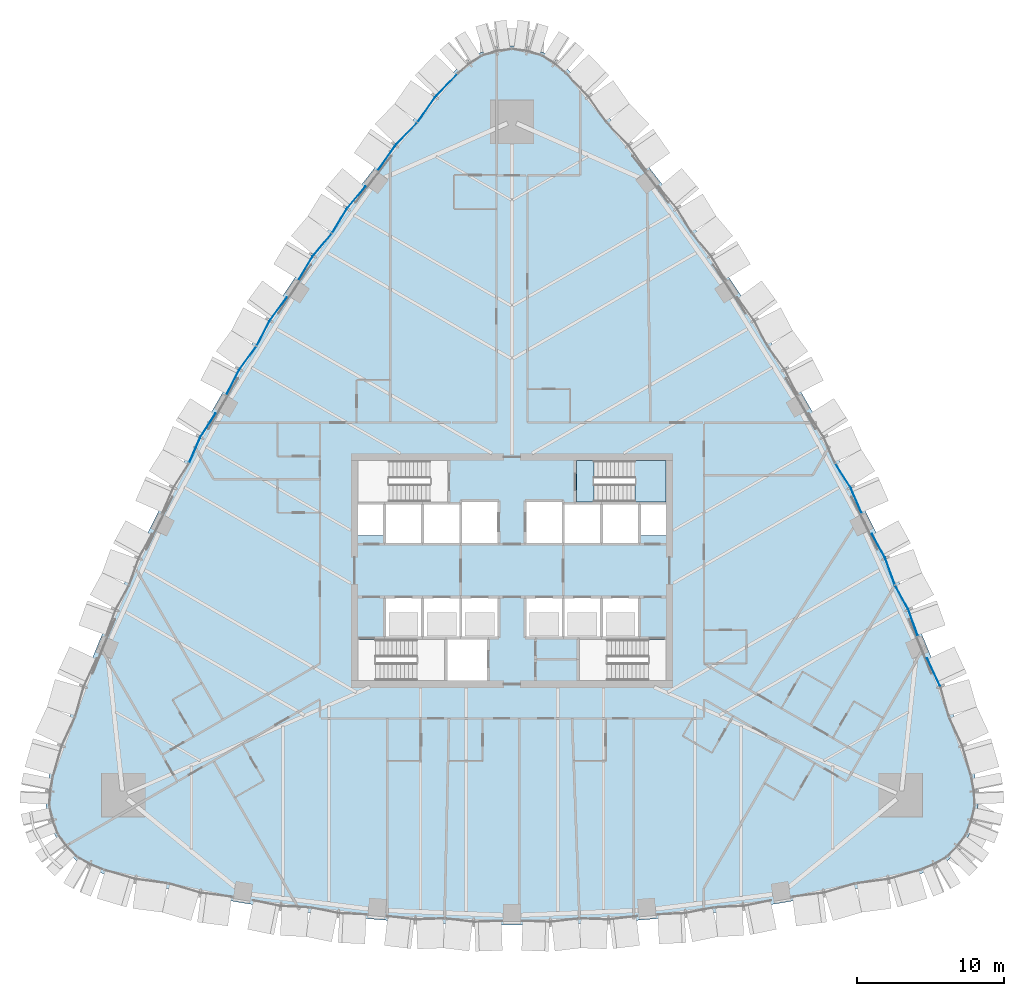
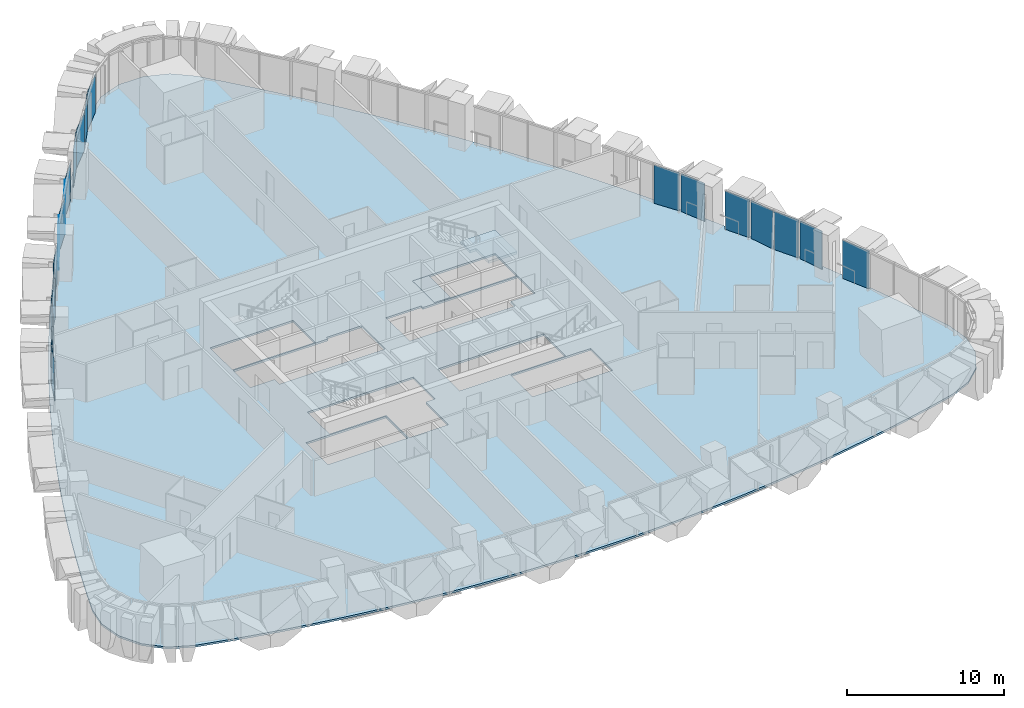
# One storey, part 11 of 23: 21 plates, 3 slabs, 8 elements without a shape of their own.
"""IFC4 building model written with IfcOpenShell, lengths in metres."""

from ifc_helpers import new_model, si_unit, direction, frame, origin, place, context, subcontext, project, spatial, polyline, outline, extrude, material, layer, layer_set, type_object, element, aggregate, save


model = new_model("IFC4")

# Units and contexts
model_context = context("Model", 3, precision=1e-05, world=origin(), true_north=direction((0.0, 1.0)))
body_context = subcontext(model_context, "Body", "Model", "MODEL_VIEW")
ifc_project = project(units=[si_unit("LENGTHUNIT", "METRE"), si_unit("AREAUNIT", "SQUARE_METRE"), si_unit("VOLUMEUNIT", "CUBIC_METRE"), si_unit("PLANEANGLEUNIT", "RADIAN"), si_unit("MASSUNIT", "GRAM", prefix="KILO")], contexts=[model_context])

# Site, building, storey
site_placement = place(None, origin())
site = spatial("IfcSite", under=ifc_project, at=site_placement, CompositionType="ELEMENT")
building_placement = place(site_placement, origin())
building = spatial("IfcBuilding", under=site, at=building_placement, Name="Sierra Prisma Convention Tower", CompositionType="ELEMENT")
storey_placement = place(building_placement, frame((0.0, 0.0, 70.199951171875)))
storey = spatial("IfcBuildingStorey", under=building, at=storey_placement, Name="L13", CompositionType="ELEMENT", Elevation=70.199951171875)

# Curtain wall, plate
ifc_material_1 = material(Name="Aluminium and glass curtain wall", Category="aluminium")
ifc_layer_1 = layer(ifc_material_1, 0.179931640625)
ifc_layer_set_1 = layer_set([ifc_layer_1], Name="CW-2 Faceted crystal curtain wall")
curtain_wall_type = type_object("IfcCurtainWallType", Name="CW-2 Faceted crystal curtain wall", PredefinedType="NOTDEFINED", material=ifc_layer_set_1)
curtain_wall_1_placement = place(storey_placement, origin())
curtain_wall_1 = element("IfcCurtainWall", 1, at=curtain_wall_1_placement, inside=storey, type_object=curtain_wall_type, Name="CW-2 NE1 L13", PredefinedType="NOTDEFINED")
ifc_material_2 = material(Name="Tinted glass bronze-grey IGU", Category="glass")
ifc_layer_2 = layer(ifc_material_2, 0.028076171875)
ifc_layer_set_2 = layer_set([ifc_layer_2], Name="CW-2 crystal pane")
plate_type = type_object("IfcPlateType", Name="CW-2 crystal pane", PredefinedType="CURTAIN_PANEL", material=ifc_layer_set_2)
plate_1_placement = place(storey_placement, frame((28.349853515625, -5.979248046875, 0.0), z_axis=(0.907004122669, 0.421121741853, 0.0), x_axis=(0.421121741853, -0.907004122669, 0.0)))
plate_1 = element("IfcPlate", 2, at=plate_1_placement, type_object=plate_type, Name="CW-2 pane NE1.2.2", PredefinedType="CURTAIN_PANEL", context=body_context, shape_type="SweptSolid", body=[
    extrude(outline(polyline([(0.0, 0.0), (2.0621310106296122, 0.0), (2.0621310106296122, -2.97998046875), (0.0, -2.97998046875), (0.0, 0.0)])), origin(), (0.0, 0.0, -1.0), 0.028076171875),
])
aggregate(curtain_wall_1, [plate_1])

# Curtain wall, plates
curtain_wall_2_placement = place(storey_placement, origin())
curtain_wall_2 = element("IfcCurtainWall", 3, at=curtain_wall_2_placement, inside=storey, type_object=curtain_wall_type, Name="CW-2 NE2 L13", PredefinedType="NOTDEFINED")
plate_2_placement = place(storey_placement, frame((27.713134765625, -4.455078125, 0.0), z_axis=(0.941388881716, 0.337323247615, 0.0), x_axis=(-0.337323247615, 0.941388881716, 0.0)))
plate_2 = element("IfcPlate", 4, at=plate_2_placement, type_object=plate_type, Name="CW-2 pane NE2.1.1", PredefinedType="CURTAIN_PANEL", context=body_context, shape_type="SweptSolid", body=[
    extrude(outline(polyline([(0.0, 0.0), (1.833280710707783, 0.0), (1.833280710707783, 2.97998046875), (0.0, 2.97998046875), (0.0, 0.0)])), origin(), (0.0, 0.0, -1.0), 0.028076171875),
])
plate_3_placement = place(storey_placement, frame((26.160888671875, -1.00341796875, 0.0), z_axis=(0.87704416072, 0.480409762751, 0.0), x_axis=(0.480409762751, -0.87704416072, 0.0)))
plate_3 = element("IfcPlate", 5, at=plate_3_placement, type_object=plate_type, Name="CW-2 pane NE2.1.2", PredefinedType="CURTAIN_PANEL", context=body_context, shape_type="SweptSolid", body=[
    extrude(outline(polyline([(0.0, 0.0), (1.8330502472133432, 0.0), (1.8330502472133432, -2.97998046875), (0.0, -2.97998046875), (0.0, 0.0)])), origin(), (0.0, 0.0, -1.0), 0.028076171875),
])
plate_4_placement = place(storey_placement, frame((26.132080078125, -0.939453125, 0.0), z_axis=(0.941373725691, 0.337365541479, 0.0), x_axis=(-0.337365541479, 0.941373725691, 0.0)))
plate_4 = element("IfcPlate", 6, at=plate_4_placement, type_object=plate_type, Name="CW-2 pane NE2.2.1", PredefinedType="CURTAIN_PANEL", context=body_context, shape_type="SweptSolid", body=[
    extrude(outline(polyline([(0.0, 0.0), (1.833050881287818, 0.0), (1.833050881287818, 2.97998046875), (0.0, 2.97998046875), (0.0, 0.0)])), origin(), (0.0, 0.0, -1.0), 0.028076171875),
])
plate_5_placement = place(storey_placement, frame((24.57958984375, 2.511962890625, 0.0), z_axis=(0.876988040744, 0.480512202127, 0.0), x_axis=(0.480512202127, -0.876988040744, 0.0)))
plate_5 = element("IfcPlate", 7, at=plate_5_placement, type_object=plate_type, Name="CW-2 pane NE2.2.2", PredefinedType="CURTAIN_PANEL", context=body_context, shape_type="SweptSolid", body=[
    extrude(outline(polyline([(0.0, 0.0), (1.833167547258284, 0.0), (1.833167547258284, -2.97998046875), (0.0, -2.97998046875), (0.0, 0.0)])), origin(), (0.0, 0.0, -1.0), 0.028076171875),
])
aggregate(curtain_wall_2, [plate_2, plate_3, plate_4, plate_5])

curtain_wall_3_placement = place(storey_placement, origin())
curtain_wall_3 = element("IfcCurtainWall", 8, at=curtain_wall_3_placement, inside=storey, type_object=curtain_wall_type, Name="CW-2 NE3 L13", PredefinedType="NOTDEFINED")
plate_6_placement = place(storey_placement, frame((23.884033203125, 3.91357421875, 0.0), z_axis=(0.916883744176, 0.399154355689, 0.0), x_axis=(-0.399154355689, 0.916883744176, 0.0)))
plate_6 = element("IfcPlate", 9, at=plate_6_placement, type_object=plate_type, Name="CW-2 pane NE3.1.1", PredefinedType="CURTAIN_PANEL", context=body_context, shape_type="SweptSolid", body=[
    extrude(outline(polyline([(0.0, 0.0), (1.8551182144726721, 0.0), (1.8551182144726721, 2.9799804687500004), (0.0, 2.9799804687500004), (0.0, 0.0)])), origin(), (0.0, 0.0, -1.0), 0.028076171875),
])
plate_7_placement = place(storey_placement, frame((22.085205078125, 7.29296875, 0.0), z_axis=(0.843195132296, 0.537607634685, 0.0), x_axis=(0.537607634685, -0.843195132296, 0.0)))
plate_7 = element("IfcPlate", 10, at=plate_7_placement, type_object=plate_type, Name="CW-2 pane NE3.1.2", PredefinedType="CURTAIN_PANEL", context=body_context, shape_type="SweptSolid", body=[
    extrude(outline(polyline([(0.0, 0.0), (1.8550972657010432, 0.0), (1.8550972657010432, -2.97998046875), (0.0, -2.97998046875), (0.0, 0.0)])), origin(), (0.0, 0.0, -1.0), 0.028076171875),
])
aggregate(curtain_wall_3, [plate_6, plate_7])

curtain_wall_4_placement = place(storey_placement, origin())
curtain_wall_4 = element("IfcCurtainWall", 11, at=curtain_wall_4_placement, inside=storey, type_object=curtain_wall_type, Name="CW-2 NW1 L13", PredefinedType="NOTDEFINED")
plate_8_placement = place(storey_placement, frame((-3.75927734375, 33.889404296875, 0.0), z_axis=(-0.719772154816, 0.694210375284, 0.0), x_axis=(-0.694210375284, -0.719772154816, 0.0)))
plate_8 = element("IfcPlate", 12, at=plate_8_placement, type_object=plate_type, Name="CW-2 pane NW1.1.1", PredefinedType="CURTAIN_PANEL", context=body_context, shape_type="SweptSolid", body=[
    extrude(outline(polyline([(0.0, 0.0), (2.0534655777679625, 0.0), (2.0534655777679625, 2.97998046875), (0.0, 2.97998046875), (0.0, 0.0)])), origin(), (0.0, 0.0, -1.0), 0.028076171875),
])
plate_9_placement = place(storey_placement, frame((-6.444091796875, 30.62841796875, 0.0), z_axis=(-0.819516679445, 0.573055330759, 0.0), x_axis=(0.573055330759, 0.819516679445, 0.0)))
plate_9 = element("IfcPlate", 13, at=plate_9_placement, type_object=plate_type, Name="CW-2 pane NW1.1.2", PredefinedType="CURTAIN_PANEL", context=body_context, shape_type="SweptSolid", body=[
    extrude(outline(polyline([(0.0, 0.0), (2.0534802650569652, 0.0), (2.0534802650569652, -2.97998046875), (0.0, -2.97998046875), (0.0, 0.0)])), origin(), (0.0, 0.0, -1.0), 0.028076171875),
])
plate_10_placement = place(storey_placement, frame((-6.488525390625, 30.57421875, 0.0), z_axis=(-0.719772154816, 0.694210375284, 0.0), x_axis=(-0.694210375284, -0.719772154816, 0.0)))
plate_10 = element("IfcPlate", 14, at=plate_10_placement, type_object=plate_type, Name="CW-2 pane NW1.2.1", PredefinedType="CURTAIN_PANEL", context=body_context, shape_type="SweptSolid", body=[
    extrude(outline(polyline([(0.0, 0.0), (2.0534655777679625, 0.0), (2.0534655777679625, 2.97998046875), (0.0, 2.97998046875), (0.0, 0.0)])), origin(), (0.0, 0.0, -1.0), 0.028076171875),
])
plate_11_placement = place(storey_placement, frame((-9.173095703125, 27.313232421875, 0.0), z_axis=(-0.819516679445, 0.573055330759, 0.0), x_axis=(0.573055330759, 0.819516679445, 0.0)))
plate_11 = element("IfcPlate", 15, at=plate_11_placement, type_object=plate_type, Name="CW-2 pane NW1.2.2", PredefinedType="CURTAIN_PANEL", context=body_context, shape_type="SweptSolid", body=[
    extrude(outline(polyline([(0.0, 0.0), (2.0534802650569652, 0.0), (2.0534802650569652, -2.97998046875), (0.0, -2.97998046875), (0.0, 0.0)])), origin(), (0.0, 0.0, -1.0), 0.028076171875),
])
aggregate(curtain_wall_4, [plate_8, plate_9, plate_10, plate_11])

curtain_wall_5_placement = place(storey_placement, origin())
curtain_wall_5 = element("IfcCurtainWall", 16, at=curtain_wall_5_placement, inside=storey, type_object=curtain_wall_type, Name="CW-2 NW2 L13", PredefinedType="NOTDEFINED")
plate_12_placement = place(storey_placement, frame((-10.01123046875, 26.225341796875, 0.0), z_axis=(-0.764394958056, 0.644748282742, 0.0), x_axis=(-0.644748282742, -0.764394958056, 0.0)))
plate_12 = element("IfcPlate", 17, at=plate_12_placement, type_object=plate_type, Name="CW-2 pane NW2.1.1", PredefinedType="CURTAIN_PANEL", context=body_context, shape_type="SweptSolid", body=[
    extrude(outline(polyline([(0.0, 0.0), (1.8895152594582845, 0.0), (1.8895152594582845, 2.97998046875), (0.0, 2.97998046875), (0.0, 0.0)])), origin(), (0.0, 0.0, -1.0), 0.028076171875),
])
plate_13_placement = place(storey_placement, frame((-12.28271484375, 23.05859375, 0.0), z_axis=(-0.855766574481, 0.517362126562, 0.0), x_axis=(0.517362126562, 0.855766574481, 0.0)))
plate_13 = element("IfcPlate", 18, at=plate_13_placement, type_object=plate_type, Name="CW-2 pane NW2.1.2", PredefinedType="CURTAIN_PANEL", context=body_context, shape_type="SweptSolid", body=[
    extrude(outline(polyline([(0.0, 0.0), (1.889467767954852, 0.0), (1.889467767954852, -2.97998046875), (0.0, -2.97998046875), (0.0, 0.0)])), origin(), (0.0, 0.0, -1.0), 0.028076171875),
])
plate_14_placement = place(storey_placement, frame((-12.323486328125, 23.001708984375, 0.0), z_axis=(-0.764394958056, 0.644748282742, 0.0), x_axis=(-0.644748282742, -0.764394958056, 0.0)))
plate_14 = element("IfcPlate", 19, at=plate_14_placement, type_object=plate_type, Name="CW-2 pane NW2.2.1", PredefinedType="CURTAIN_PANEL", context=body_context, shape_type="SweptSolid", body=[
    extrude(outline(polyline([(0.0, 0.0), (1.8895152594582845, 0.0), (1.8895152594582845, 2.97998046875), (0.0, 2.97998046875), (0.0, 0.0)])), origin(), (0.0, 0.0, -1.0), 0.028076171875),
])
plate_15_placement = place(storey_placement, frame((-14.5947265625, 19.8349609375, 0.0), z_axis=(-0.855858349338, 0.517210291727, 0.0), x_axis=(0.517210291727, 0.855858349338, 0.0)))
plate_15 = element("IfcPlate", 20, at=plate_15_placement, type_object=plate_type, Name="CW-2 pane NW2.2.2", PredefinedType="CURTAIN_PANEL", context=body_context, shape_type="SweptSolid", body=[
    extrude(outline(polyline([(0.0, 0.0), (1.889550415966431, 0.0), (1.889550415966431, -2.97998046875), (0.0, -2.97998046875), (0.0, 0.0)])), origin(), (0.0, 0.0, -1.0), 0.028076171875),
])
aggregate(curtain_wall_5, [plate_12, plate_13, plate_14, plate_15])

curtain_wall_6_placement = place(storey_placement, origin())
curtain_wall_6 = element("IfcCurtainWall", 21, at=curtain_wall_6_placement, inside=storey, type_object=curtain_wall_type, Name="CW-2 NW3 L13", PredefinedType="NOTDEFINED")
plate_16_placement = place(storey_placement, frame((-15.389892578125, 18.64990234375, 0.0), z_axis=(-0.805493895189, 0.592604070871, 0.0), x_axis=(-0.592604070871, -0.805493895189, 0.0)))
plate_16 = element("IfcPlate", 22, at=plate_16_placement, type_object=plate_type, Name="CW-2 pane NW3.1.1", PredefinedType="CURTAIN_PANEL", context=body_context, shape_type="SweptSolid", body=[
    extrude(outline(polyline([(0.0, 0.0), (1.8761538452069995, 0.0), (1.8761538452069995, 2.97998046875), (0.0, 2.97998046875), (0.0, 0.0)])), origin(), (0.0, 0.0, -1.0), 0.028076171875),
])
plate_17_placement = place(storey_placement, frame((-17.431640625, 15.362060546875, 0.0), z_axis=(-0.888307354034, 0.45924943633, 0.0), x_axis=(0.45924943633, 0.888307354034, 0.0)))
plate_17 = element("IfcPlate", 23, at=plate_17_placement, type_object=plate_type, Name="CW-2 pane NW3.1.2", PredefinedType="CURTAIN_PANEL", context=body_context, shape_type="SweptSolid", body=[
    extrude(outline(polyline([(0.0, 0.0), (1.8760442527938153, 0.0), (1.8760442527938153, -2.97998046875), (0.0, -2.97998046875), (0.0, 0.0)])), origin(), (0.0, 0.0, -1.0), 0.028076171875),
])
plate_18_placement = place(storey_placement, frame((-17.46875, 15.302734375, 0.0), z_axis=(-0.80555601084, 0.592519631236, 0.0), x_axis=(-0.592519631236, -0.80555601084, 0.0)))
plate_18 = element("IfcPlate", 24, at=plate_18_placement, type_object=plate_type, Name="CW-2 pane NW3.2.1", PredefinedType="CURTAIN_PANEL", context=body_context, shape_type="SweptSolid", body=[
    extrude(outline(polyline([(0.0, 0.0), (1.8760091767859346, 0.0), (1.8760091767859346, 2.97998046875), (0.0, 2.97998046875), (0.0, 0.0)])), origin(), (0.0, 0.0, -1.0), 0.028076171875),
])
plate_19_placement = place(storey_placement, frame((-19.51025390625, 12.014892578125, 0.0), z_axis=(-0.888307354034, 0.45924943633, 0.0), x_axis=(0.45924943633, 0.888307354034, 0.0)))
plate_19 = element("IfcPlate", 25, at=plate_19_placement, type_object=plate_type, Name="CW-2 pane NW3.2.2", PredefinedType="CURTAIN_PANEL", context=body_context, shape_type="SweptSolid", body=[
    extrude(outline(polyline([(0.0, 0.0), (1.8760442527938153, 0.0), (1.8760442527938153, -2.97998046875), (0.0, -2.97998046875), (0.0, 0.0)])), origin(), (0.0, 0.0, -1.0), 0.028076171875),
])
aggregate(curtain_wall_6, [plate_16, plate_17, plate_18, plate_19])

curtain_wall_7_placement = place(storey_placement, origin())
curtain_wall_7 = element("IfcCurtainWall", 26, at=curtain_wall_7_placement, inside=storey, type_object=curtain_wall_type, Name="CW-2 NW4 L13", PredefinedType="NOTDEFINED")
plate_20_placement = place(storey_placement, frame((-20.25341796875, 10.73388671875, 0.0), z_axis=(-0.843140653265, 0.537693071195, 0.0), x_axis=(-0.537693071195, -0.843140653265, 0.0)))
plate_20 = element("IfcPlate", 27, at=plate_20_placement, type_object=plate_type, Name="CW-2 pane NW4.1.1", PredefinedType="CURTAIN_PANEL", context=body_context, shape_type="SweptSolid", body=[
    extrude(outline(polyline([(0.0, 0.0), (1.8543484487969528, 0.0), (1.8543484487969528, 2.9799804687500004), (0.0, 2.9799804687500004), (0.0, 0.0)])), origin(), (0.0, 0.0, -1.0), 0.028076171875),
])
plate_21_placement = place(storey_placement, frame((-22.0517578125, 7.355712890625, 0.0), z_axis=(-0.916820806989, 0.399298895405, 0.0), x_axis=(0.399298895405, 0.916820806989, 0.0)))
plate_21 = element("IfcPlate", 28, at=plate_21_placement, type_object=plate_type, Name="CW-2 pane NW4.1.2", PredefinedType="CURTAIN_PANEL", context=body_context, shape_type="SweptSolid", body=[
    extrude(outline(polyline([(0.0, 0.0), (1.8544466918057192, 0.0), (1.8544466918057192, -2.97998046875), (0.0, -2.97998046875), (0.0, 0.0)])), origin(), (0.0, 0.0, -1.0), 0.028076171875),
])
aggregate(curtain_wall_7, [plate_20, plate_21])

# Slab
ifc_material_3 = material(Name="Concrete C35/45", Category="concrete")
ifc_layer_3 = layer(ifc_material_3, 0.14990234375)
ifc_layer_set_3 = layer_set([ifc_layer_3], Name="Composite floor slab 150")
slab_type_1 = type_object("IfcSlabType", Name="Composite floor slab 150", PredefinedType="FLOOR", material=ifc_layer_set_3)
slab_1_placement = place(storey_placement, frame((0.0, 0.0, -0.14990234375)))
element("IfcSlab", 29, at=slab_1_placement, inside=storey, type_object=slab_type_1, Name="Floor slab L13 floor", PredefinedType="FLOOR", context=body_context, shape_type="SweptSolid", body=[
    extrude(outline(polyline([(-27.953369140625, -20.66796875), (-26.06201171875, -21.135498046875), (-24.1630859375, -21.5703125), (-22.256591796875, -21.971923828125), (-20.34375, -22.340576171875), (-18.424560546875, -22.67626953125), (-16.5, -22.978515625), (-14.570556640625, -23.247314453125), (-12.63671875, -23.48291015625), (-10.698974609375, -23.684814453125), (-8.758056640625, -23.853271484375), (-6.814453125, -23.988037109375), (-4.868896484375, -24.089111328125), (-2.921875, -24.15673828125), (-0.97412109375, -24.1904296875), (0.97412109375, -24.1904296875), (2.921875, -24.15673828125), (4.868896484375, -24.089111328125), (6.814453125, -23.988037109375), (8.758056640625, -23.853271484375), (10.698974609375, -23.684814453125), (12.63671875, -23.48291015625), (14.570556640625, -23.247314453125), (16.5, -22.978515625), (18.424560546875, -22.67626953125), (20.34375, -22.340576171875), (22.256591796875, -21.971923828125), (24.1630859375, -21.5703125), (26.06201171875, -21.135498046875), (27.953369140625, -20.66796875), (29.509521484375, -19.98193359375), (30.760986328125, -18.830322265625), (31.573974609375, -17.336669921875), (31.86181640625, -15.660400390625), (31.593017578125, -13.98095703125), (30.946533203125, -12.093505859375), (30.273193359375, -10.215576171875), (29.5732421875, -8.347412109375), (28.8466796875, -6.4892578125), (28.09375, -4.641845703125), (27.314453125, -2.80517578125), (26.509033203125, -0.97998046875), (25.677734375, 0.833740234375), (24.82080078125, 2.63525390625), (23.93798828125, 4.424560546875), (23.030029296875, 6.200927734375), (22.0966796875, 7.96435546875), (21.138427734375, 9.714111328125), (20.1552734375, 11.449951171875), (19.147216796875, 13.171875), (18.114990234375, 14.879150390625), (17.05859375, 16.571533203125), (15.97802734375, 18.24853515625), (14.873779296875, 19.91015625), (13.745849609375, 21.5556640625), (12.594482421875, 23.18505859375), (11.420166015625, 24.798095703125), (10.222900390625, 26.393798828125), (9.003173828125, 27.97265625), (7.760986328125, 29.53369140625), (6.49658203125, 31.076904296875), (5.210205078125, 32.60205078125), (3.90234375, 34.108642578125), (2.53515625, 35.212158203125), (0.87841796875, 35.79736328125), (-0.87841796875, 35.79736328125), (-2.53515625, 35.212158203125), (-3.90234375, 34.108642578125), (-5.210205078125, 32.60205078125), (-6.49658203125, 31.076904296875), (-7.760986328125, 29.53369140625), (-9.003173828125, 27.97265625), (-10.222900390625, 26.393798828125), (-11.420166015625, 24.798095703125), (-12.594482421875, 23.18505859375), (-13.745849609375, 21.5556640625), (-14.873779296875, 19.91015625), (-15.97802734375, 18.24853515625), (-17.05859375, 16.571533203125), (-18.114990234375, 14.879150390625), (-19.147216796875, 13.171875), (-20.1552734375, 11.449951171875), (-21.138427734375, 9.714111328125), (-22.0966796875, 7.96435546875), (-23.030029296875, 6.200927734375), (-23.93798828125, 4.424560546875), (-24.82080078125, 2.63525390625), (-25.677734375, 0.833740234375), (-26.509033203125, -0.97998046875), (-27.314453125, -2.80517578125), (-28.09375, -4.641845703125), (-28.8466796875, -6.4892578125), (-29.5732421875, -8.347412109375), (-30.273193359375, -10.215576171875), (-30.946533203125, -12.093505859375), (-31.593017578125, -13.98095703125), (-31.86181640625, -15.660400390625), (-31.573974609375, -17.336669921875), (-30.760986328125, -18.830322265625), (-29.509521484375, -19.98193359375), (-27.953369140625, -20.66796875)]), holes=[polyline([(-4.60009765625, -7.5), (-10.5, -7.5), (-10.5, -4.699951171875), (-4.60009765625, -4.699951171875), (-4.60009765625, -7.5)]), polyline([(-8.699951171875, -4.60009765625), (-8.699951171875, -1.800048828125), (-6.10009765625, -1.800048828125), (-3.5, -1.800048828125), (-0.89990234375, -1.800048828125), (-0.89990234375, -4.60009765625), (-1.60009765625, -4.60009765625), (-1.60009765625, -7.5), (-4.5, -7.5), (-4.5, -4.60009765625), (-6.10009765625, -4.60009765625), (-8.699951171875, -4.60009765625)]), polyline([(-10.5, 4.60009765625), (-8.699951171875, 4.60009765625), (-6.10009765625, 4.60009765625), (-3.5, 4.60009765625), (-3.5, 4.800048828125), (-0.89990234375, 4.800048828125), (-0.89990234375, 1.800048828125), (-3.5, 1.800048828125), (-6.10009765625, 1.800048828125), (-8.699951171875, 1.800048828125), (-8.699951171875, 2.39990234375), (-10.5, 2.39990234375), (-10.5, 4.60009765625)]), polyline([(-4.39990234375, 4.699951171875), (-10.5, 4.699951171875), (-10.5, 7.5), (-4.39990234375, 7.5), (-4.39990234375, 4.699951171875)]), polyline([(10.5, -7.5), (4.60009765625, -7.5), (4.60009765625, -4.699951171875), (10.5, -4.699951171875), (10.5, -7.5)]), polyline([(6.10009765625, -1.800048828125), (8.699951171875, -1.800048828125), (8.699951171875, -4.60009765625), (6.10009765625, -4.60009765625), (3.5, -4.60009765625), (0.89990234375, -4.60009765625), (0.89990234375, -1.800048828125), (3.5, -1.800048828125), (6.10009765625, -1.800048828125)]), polyline([(10.5, 4.60009765625), (10.5, 2.39990234375), (8.699951171875, 2.39990234375), (8.699951171875, 1.800048828125), (6.10009765625, 1.800048828125), (3.5, 1.800048828125), (0.89990234375, 1.800048828125), (0.89990234375, 4.800048828125), (3.5, 4.800048828125), (3.5, 4.60009765625), (6.10009765625, 4.60009765625), (8.699951171875, 4.60009765625), (10.5, 4.60009765625)]), polyline([(4.39990234375, 4.699951171875), (4.39990234375, 7.5), (10.5, 7.5), (10.5, 4.699951171875), (4.39990234375, 4.699951171875)])]), origin(), (0.0, 0.0, 1.0), 0.14990234375),
])

# Stair, slab
ifc_material_4 = material(Name="Concrete C30/37", Category="concrete")
stair_type = type_object("IfcStairType", Name="Stair dog-leg 1200 RC", PredefinedType="HALF_TURN_STAIR", material=ifc_material_4)
stair_placement = place(storey_placement, origin())
stair = element("IfcStair", 30, at=stair_placement, inside=storey, type_object=stair_type, Name="L13 S4", PredefinedType="HALF_TURN_STAIR")
ifc_material_5 = material(Name="Concrete C35/45", Category="concrete")
ifc_layer_4 = layer(ifc_material_5, 0.199951171875)
ifc_layer_set_4 = layer_set([ifc_layer_4], Name="Stair landing slab")
slab_type_2 = type_object("IfcSlabType", Name="Stair landing slab", PredefinedType="LANDING", material=ifc_layer_set_4)
slab_2_placement = place(storey_placement, frame((0.0, 0.0, 1.650146484375)))
slab_2 = element("IfcSlab", 31, at=slab_2_placement, type_object=slab_type_2, Name="S4 landing 1", PredefinedType="LANDING", context=body_context, shape_type="SweptSolid", body=[
    extrude(outline(polyline([(10.5, 7.5), (10.5, 4.699951171875), (8.39794921875, 4.699951171875), (8.39794921875, 6.300048828125), (7.949951171875, 6.300048828125), (7.949951171875, 7.5), (10.5, 7.5)])), origin(), (0.0, 0.0, 1.0), 0.199951171875),
])
aggregate(stair, [slab_2])

# Slab
slab_3_placement = place(storey_placement, frame((0.0, 0.0, -0.199951171875)))
element("IfcSlab", 32, at=slab_3_placement, inside=storey, type_object=slab_type_2, Name="S4 floor landing L13", PredefinedType="LANDING", context=body_context, shape_type="SweptSolid", body=[
    extrude(outline(polyline([(4.39990234375, 4.699951171875), (5.60205078125, 4.699951171875), (5.60205078125, 7.5), (4.39990234375, 7.5), (4.39990234375, 4.699951171875)])), origin(), (0.0, 0.0, 1.0), 0.199951171875),
])

save(model, "model.ifc")
